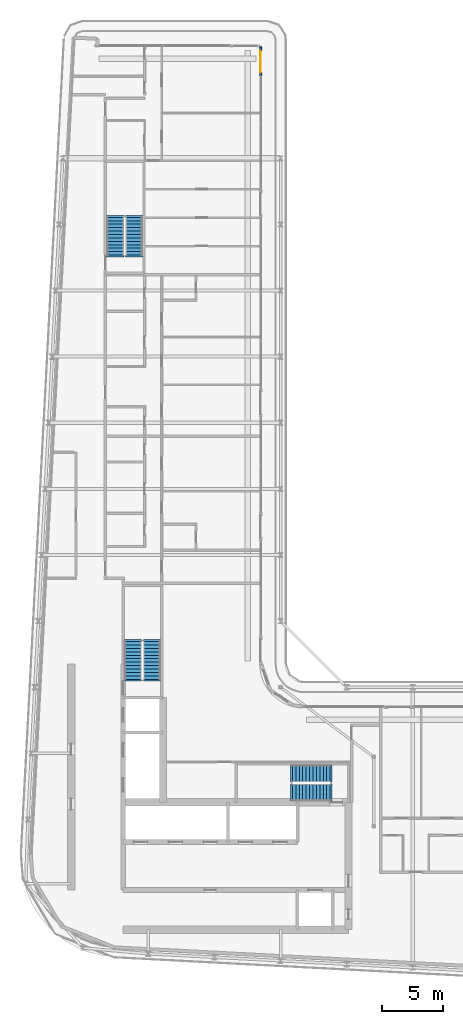
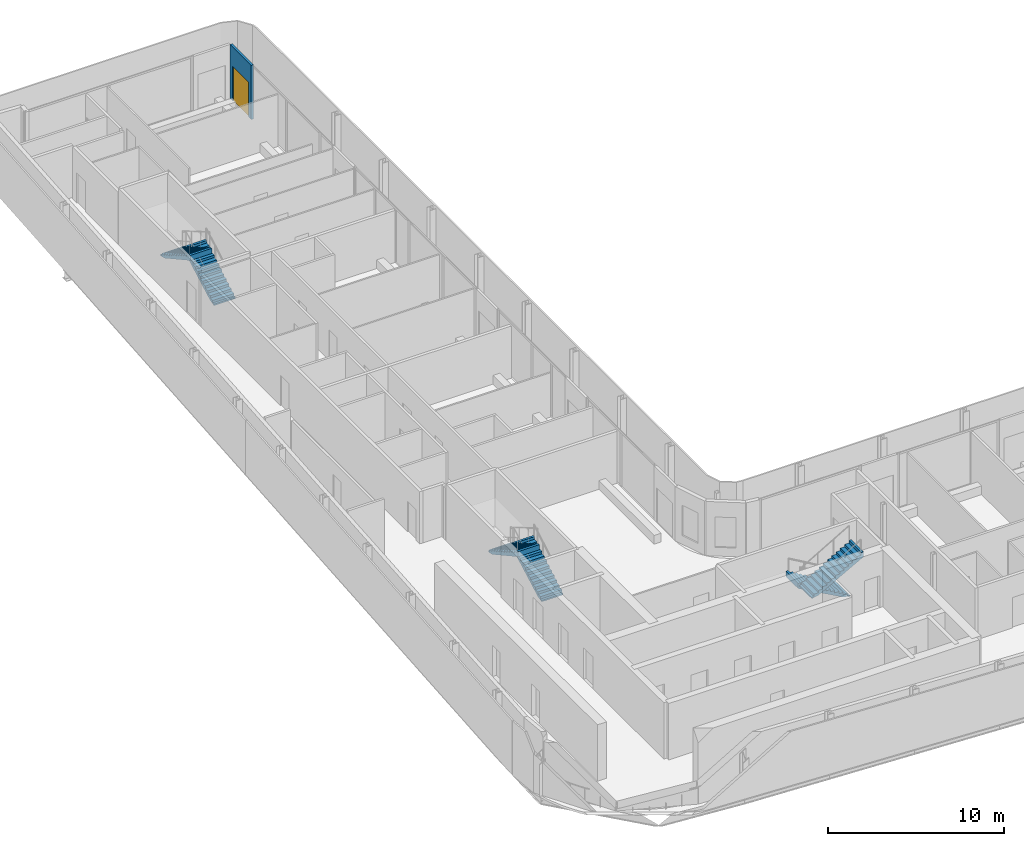
# One storey, part 15 of 21: 6 stair flights, 1 door, 1 wall, 1 opening, 3 elements without a shape of their own.
"""IFC4 building model written with IfcOpenShell, lengths in metres."""

from ifc_helpers import new_model, si_unit, direction, frame, frame_2d, origin, place, context, subcontext, project, spatial, polyline, rectangle, outline, extrude, source, transform, mapped, material, layer, layer_set, type_object, element, fill, aggregate, save


model = new_model("IFC4")

# Units and contexts
model_context = context("Model", 3, precision=1e-05, world=origin(), true_north=direction((0.0, 1.0)))
body_context = subcontext(model_context, "Body", "Model", "MODEL_VIEW")
ifc_project = project(units=[si_unit("LENGTHUNIT", "METRE"), si_unit("AREAUNIT", "SQUARE_METRE"), si_unit("VOLUMEUNIT", "CUBIC_METRE"), si_unit("PLANEANGLEUNIT", "RADIAN"), si_unit("MASSUNIT", "GRAM", prefix="KILO")], contexts=[model_context])

# Site, building, storey
site_placement = place(None, origin())
site = spatial("IfcSite", under=ifc_project, at=site_placement, CompositionType="ELEMENT")
building_placement = place(site_placement, origin())
building = spatial("IfcBuilding", under=site, at=building_placement, Name="Kheshtan School and Residences Tower", CompositionType="ELEMENT")
storey_placement = place(building_placement, frame((0.0, 0.0, 302.0)))
storey = spatial("IfcBuildingStorey", under=building, at=storey_placement, Name="L71", CompositionType="ELEMENT", Elevation=302.0)

# Wall, opening, door
ifc_material_1 = material(Name="Aluminium frame wall with insulated infill", Category="aluminium")
ifc_layer_1 = layer(ifc_material_1, 0.14990234375)
ifc_layer_set_1 = layer_set([ifc_layer_1], Name="Glazing frame wall 150")
wall_type = type_object("IfcWallType", Name="Glazing frame wall 150", PredefinedType="SOLIDWALL", material=ifc_layer_set_1)
wall_placement = place(storey_placement, frame((45.97509765625, 97.89990234375, 0.0), z_axis=(0.0, 0.0, 1.0), x_axis=(0.0, -1.0, 0.0)))
wall = element("IfcWall", 1, at=wall_placement, inside=storey, type_object=wall_type, Name="Balcony door wall L71 8.1", PredefinedType="SOLIDWALL", context=body_context, shape_type="SweptSolid", body=[
    extrude(rectangle(XDim=2.39990234375, YDim=0.14990234375, at=frame_2d((1.199951171875, 0.0))), origin(), (0.0, 0.0, 1.0), 3.75),
])
opening_placement = place(wall_placement, frame((0.300048828125, 0.0, 0.0)))
opening = element("IfcOpeningElement", 2, at=opening_placement, cuts=wall, Name="Opening BD", PredefinedType="OPENING", context=body_context, shape_type="SweptSolid", body=[
    extrude(rectangle(XDim=1.800048828125, YDim=2.39990234375, at=frame_2d((0.89990234375, 1.199951171875))), frame((0.0, 0.0849609375, 0.0), z_axis=(0.0, -1.0, 0.0), x_axis=(1.0, 0.0, 0.0)), (0.0, 0.0, 1.0), 0.169921875),
])
ifc_material_2 = material(Name="Clear low-e glass in thermally broken aluminium frame", Category="aluminium")
door_type = type_object("IfcDoorType", Name="Balcony sliding door", OperationType="SLIDING_TO_LEFT", PredefinedType="DOOR", material=ifc_material_2)
shared_shape = source(origin(), body_context, "Body", "SweptSolid", [
    extrude(rectangle(XDim=1.800048828125, YDim=2.39990234375, at=frame_2d((0.89990234375, 1.199951171875))), frame((0.0, 0.02490234375, 0.0), z_axis=(0.0, -1.0, 0.0), x_axis=(1.0, 0.0, 0.0)), (0.0, 0.0, 1.0), 0.050048828125),
])
door_placement = place(opening_placement, origin())
door = element("IfcDoor", 3, at=door_placement, inside=storey, type_object=door_type, Name="Balcony door L71 8.1", OperationType="SLIDING_TO_LEFT", OverallHeight=2.39990234375, OverallWidth=1.800048828125, PredefinedType="DOOR", context=body_context, shape_type="MappedRepresentation", body=[
    mapped(shared_shape, transform((0.0, 0.0, 0.0), x_axis=(1.0, 0.0, 0.0), y_axis=(0.0, 1.0, 0.0), z_axis=(0.0, 0.0, 1.0), scale=1.0)),
])
fill(opening, door)

# Stair, stair flights
ifc_material_3 = material(Name="Concrete C40/50", Category="concrete")
stair_type = type_object("IfcStairType", Name="Exit stair, half-turn", PredefinedType="HALF_TURN_STAIR", material=ifc_material_3)
stair_1_placement = place(storey_placement, origin())
stair_1 = element("IfcStair", 4, at=stair_1_placement, inside=storey, type_object=stair_type, Name="L71 Protected Exit Stair ST1", PredefinedType="HALF_TURN_STAIR")
ifc_layer_2 = layer(ifc_material_3, 0.14990234375)
ifc_layer_set_2 = layer_set([ifc_layer_2], Name="Stair flight 1400 Concrete C40/50")
stair_flight_type = type_object("IfcStairFlightType", Name="Stair flight 1400 Concrete C40/50", PredefinedType="STRAIGHT", material=ifc_layer_set_2)
stair_flight_1_placement = place(storey_placement, frame((51.64990234375, 38.550048828125, 0.0), z_axis=(0.0, 0.0, 1.0), x_axis=(-1.0, 0.0, 0.0)))
stair_flight_1 = element("IfcStairFlight", 5, at=stair_flight_1_placement, type_object=stair_flight_type, Name="ST1 flight 1", NumberOfRisers=12, NumberOfTreads=11, PredefinedType="STRAIGHT", RiserHeight=0.1625, TreadLength=0.28, context=body_context, shape_type="SweptSolid", body=[
    extrude(outline(polyline([(-0.14990234375, -0.10009765625), (-0.14990234375, 0.0), (0.0, 0.0), (0.0, 0.16259765625), (0.280029296875, 0.16259765625), (0.280029296875, 0.324951171875), (0.56005859375, 0.324951171875), (0.56005859375, 0.487548828125), (0.840087890625, 0.487548828125), (0.840087890625, 0.64990234375), (1.1201171875, 0.64990234375), (1.1201171875, 0.8125), (1.39990234375, 0.8125), (1.39990234375, 0.97509765625), (1.679931640625, 0.97509765625), (1.679931640625, 1.137451171875), (1.9599609375, 1.137451171875), (1.9599609375, 1.300048828125), (2.239990234375, 1.300048828125), (2.239990234375, 1.46240234375), (2.52001953125, 1.46240234375), (2.52001953125, 1.625), (2.800048828125, 1.625), (2.800048828125, 1.78759765625), (3.080078125, 1.78759765625), (3.080078125, 1.949951171875), (3.080078125, 1.969970703125), (3.22998046875, 1.969970703125), (3.22998046875, 1.6142578125), (0.298583984375, 0.0), (-0.14990234375, -0.10009765625)])), frame((0.0, 0.699951171875, 0.0), z_axis=(0.0, -1.0, 0.0), x_axis=(1.0, 0.0, 0.0)), (0.0, 0.0, 1.0), 1.39990234375),
])
stair_flight_2_placement = place(storey_placement, frame((48.570068359375, 37.0, 1.949951171875), z_axis=(0.0, 0.0, 1.0), x_axis=(1.0, 0.0, 0.0)))
stair_flight_2 = element("IfcStairFlight", 6, at=stair_flight_2_placement, type_object=stair_flight_type, Name="ST1 flight 2", NumberOfRisers=12, NumberOfTreads=11, PredefinedType="STRAIGHT", RiserHeight=0.1625, TreadLength=0.28, context=body_context, shape_type="SweptSolid", body=[
    extrude(outline(polyline([(-0.14990234375, -0.10009765625), (-0.14990234375, 0.0), (0.0, 0.0), (0.0, 0.16259765625), (0.280029296875, 0.16259765625), (0.280029296875, 0.324951171875), (0.56005859375, 0.324951171875), (0.56005859375, 0.487548828125), (0.840087890625, 0.487548828125), (0.840087890625, 0.64990234375), (1.1201171875, 0.64990234375), (1.1201171875, 0.8125), (1.39990234375, 0.8125), (1.39990234375, 0.97509765625), (1.679931640625, 0.97509765625), (1.679931640625, 1.137451171875), (1.9599609375, 1.137451171875), (1.9599609375, 1.300048828125), (2.239990234375, 1.300048828125), (2.239990234375, 1.46240234375), (2.52001953125, 1.46240234375), (2.52001953125, 1.625), (2.800048828125, 1.625), (2.800048828125, 1.78759765625), (3.080078125, 1.78759765625), (3.080078125, 1.949951171875), (3.080078125, 1.969970703125), (3.22998046875, 1.969970703125), (3.22998046875, 1.6142578125), (0.298583984375, 0.0), (-0.14990234375, -0.10009765625)])), frame((0.0, 0.699951171875, 0.0), z_axis=(0.0, -1.0, 0.0), x_axis=(1.0, 0.0, 0.0)), (0.0, 0.0, 1.0), 1.39990234375),
])
aggregate(stair_1, [stair_flight_1, stair_flight_2])

stair_2_placement = place(storey_placement, origin())
stair_2 = element("IfcStair", 7, at=stair_2_placement, inside=storey, type_object=stair_type, Name="L71 Protected Exit Stair ST2", PredefinedType="HALF_TURN_STAIR")
stair_flight_3_placement = place(storey_placement, frame((37.10009765625, 46.25, 0.0), z_axis=(0.0, 0.0, 1.0), x_axis=(0.0, 1.0, 0.0)))
stair_flight_3 = element("IfcStairFlight", 8, at=stair_flight_3_placement, type_object=stair_flight_type, Name="ST2 flight 1", NumberOfRisers=12, NumberOfTreads=11, PredefinedType="STRAIGHT", RiserHeight=0.1625, TreadLength=0.28, context=body_context, shape_type="SweptSolid", body=[
    extrude(outline(polyline([(-0.14990234375, -0.10009765625), (-0.14990234375, 0.0), (0.0, 0.0), (0.0, 0.16259765625), (0.280029296875, 0.16259765625), (0.280029296875, 0.324951171875), (0.56005859375, 0.324951171875), (0.56005859375, 0.487548828125), (0.840087890625, 0.487548828125), (0.840087890625, 0.64990234375), (1.1201171875, 0.64990234375), (1.1201171875, 0.8125), (1.39990234375, 0.8125), (1.39990234375, 0.97509765625), (1.679931640625, 0.97509765625), (1.679931640625, 1.137451171875), (1.9599609375, 1.137451171875), (1.9599609375, 1.300048828125), (2.239990234375, 1.300048828125), (2.239990234375, 1.46240234375), (2.52001953125, 1.46240234375), (2.52001953125, 1.625), (2.800048828125, 1.625), (2.800048828125, 1.78759765625), (3.080078125, 1.78759765625), (3.080078125, 1.949951171875), (3.080078125, 1.969970703125), (3.22998046875, 1.969970703125), (3.22998046875, 1.6142578125), (0.298583984375, 0.0), (-0.14990234375, -0.10009765625)])), frame((0.0, 0.699951171875, 0.0), z_axis=(0.0, -1.0, 0.0), x_axis=(1.0, 0.0, 0.0)), (0.0, 0.0, 1.0), 1.39990234375),
])
stair_flight_4_placement = place(storey_placement, frame((35.550048828125, 49.330078125, 1.949951171875), z_axis=(0.0, 0.0, 1.0), x_axis=(0.0, -1.0, 0.0)))
stair_flight_4 = element("IfcStairFlight", 9, at=stair_flight_4_placement, type_object=stair_flight_type, Name="ST2 flight 2", NumberOfRisers=12, NumberOfTreads=11, PredefinedType="STRAIGHT", RiserHeight=0.1625, TreadLength=0.28, context=body_context, shape_type="SweptSolid", body=[
    extrude(outline(polyline([(-0.14990234375, -0.10009765625), (-0.14990234375, 0.0), (0.0, 0.0), (0.0, 0.16259765625), (0.280029296875, 0.16259765625), (0.280029296875, 0.324951171875), (0.56005859375, 0.324951171875), (0.56005859375, 0.487548828125), (0.840087890625, 0.487548828125), (0.840087890625, 0.64990234375), (1.1201171875, 0.64990234375), (1.1201171875, 0.8125), (1.39990234375, 0.8125), (1.39990234375, 0.97509765625), (1.679931640625, 0.97509765625), (1.679931640625, 1.137451171875), (1.9599609375, 1.137451171875), (1.9599609375, 1.300048828125), (2.239990234375, 1.300048828125), (2.239990234375, 1.46240234375), (2.52001953125, 1.46240234375), (2.52001953125, 1.625), (2.800048828125, 1.625), (2.800048828125, 1.78759765625), (3.080078125, 1.78759765625), (3.080078125, 1.949951171875), (3.080078125, 1.969970703125), (3.22998046875, 1.969970703125), (3.22998046875, 1.6142578125), (0.298583984375, 0.0), (-0.14990234375, -0.10009765625)])), frame((0.0, 0.699951171875, 0.0), z_axis=(0.0, -1.0, 0.0), x_axis=(1.0, 0.0, 0.0)), (0.0, 0.0, 1.0), 1.39990234375),
])
aggregate(stair_2, [stair_flight_3, stair_flight_4])

stair_3_placement = place(storey_placement, origin())
stair_3 = element("IfcStair", 10, at=stair_3_placement, inside=storey, type_object=stair_type, Name="L71 Protected Exit Stair ST3", PredefinedType="HALF_TURN_STAIR")
stair_flight_5_placement = place(storey_placement, frame((35.64990234375, 80.89990234375, 0.0), z_axis=(0.0, 0.0, 1.0), x_axis=(0.0, 1.0, 0.0)))
stair_flight_5 = element("IfcStairFlight", 11, at=stair_flight_5_placement, type_object=stair_flight_type, Name="ST3 flight 1", NumberOfRisers=12, NumberOfTreads=11, PredefinedType="STRAIGHT", RiserHeight=0.1625, TreadLength=0.28, context=body_context, shape_type="SweptSolid", body=[
    extrude(outline(polyline([(-0.14990234375, -0.10009765625), (-0.14990234375, 0.0), (0.0, 0.0), (0.0, 0.16259765625), (0.280029296875, 0.16259765625), (0.280029296875, 0.324951171875), (0.56005859375, 0.324951171875), (0.56005859375, 0.487548828125), (0.840087890625, 0.487548828125), (0.840087890625, 0.64990234375), (1.1201171875, 0.64990234375), (1.1201171875, 0.8125), (1.39990234375, 0.8125), (1.39990234375, 0.97509765625), (1.679931640625, 0.97509765625), (1.679931640625, 1.137451171875), (1.9599609375, 1.137451171875), (1.9599609375, 1.300048828125), (2.239990234375, 1.300048828125), (2.239990234375, 1.46240234375), (2.52001953125, 1.46240234375), (2.52001953125, 1.625), (2.800048828125, 1.625), (2.800048828125, 1.78759765625), (3.080078125, 1.78759765625), (3.080078125, 1.949951171875), (3.080078125, 1.969970703125), (3.22998046875, 1.969970703125), (3.22998046875, 1.6142578125), (0.298583984375, 0.0), (-0.14990234375, -0.10009765625)])), frame((0.0, 0.699951171875, 0.0), z_axis=(0.0, -1.0, 0.0), x_axis=(1.0, 0.0, 0.0)), (0.0, 0.0, 1.0), 1.39990234375),
])
stair_flight_6_placement = place(storey_placement, frame((34.10009765625, 83.97998046875, 1.949951171875), z_axis=(0.0, 0.0, 1.0), x_axis=(0.0, -1.0, 0.0)))
stair_flight_6 = element("IfcStairFlight", 12, at=stair_flight_6_placement, type_object=stair_flight_type, Name="ST3 flight 2", NumberOfRisers=12, NumberOfTreads=11, PredefinedType="STRAIGHT", RiserHeight=0.1625, TreadLength=0.28, context=body_context, shape_type="SweptSolid", body=[
    extrude(outline(polyline([(-0.14990234375, -0.10009765625), (-0.14990234375, 0.0), (0.0, 0.0), (0.0, 0.16259765625), (0.280029296875, 0.16259765625), (0.280029296875, 0.324951171875), (0.56005859375, 0.324951171875), (0.56005859375, 0.487548828125), (0.840087890625, 0.487548828125), (0.840087890625, 0.64990234375), (1.1201171875, 0.64990234375), (1.1201171875, 0.8125), (1.39990234375, 0.8125), (1.39990234375, 0.97509765625), (1.679931640625, 0.97509765625), (1.679931640625, 1.137451171875), (1.9599609375, 1.137451171875), (1.9599609375, 1.300048828125), (2.239990234375, 1.300048828125), (2.239990234375, 1.46240234375), (2.52001953125, 1.46240234375), (2.52001953125, 1.625), (2.800048828125, 1.625), (2.800048828125, 1.78759765625), (3.080078125, 1.78759765625), (3.080078125, 1.949951171875), (3.080078125, 1.969970703125), (3.22998046875, 1.969970703125), (3.22998046875, 1.6142578125), (0.298583984375, 0.0), (-0.14990234375, -0.10009765625)])), frame((0.0, 0.699951171875, 0.0), z_axis=(0.0, -1.0, 0.0), x_axis=(1.0, 0.0, 0.0)), (0.0, 0.0, 1.0), 1.39990234375),
])
aggregate(stair_3, [stair_flight_5, stair_flight_6])

save(model, "model.ifc")
